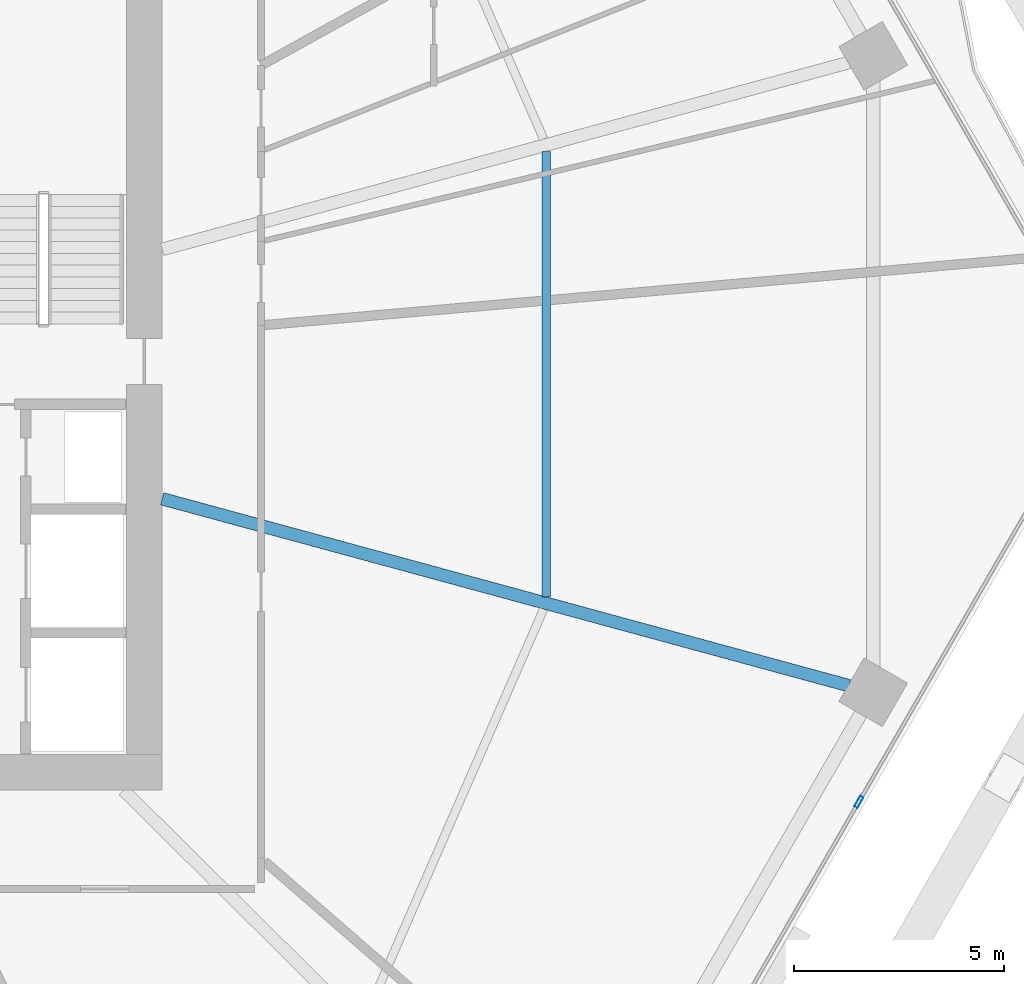
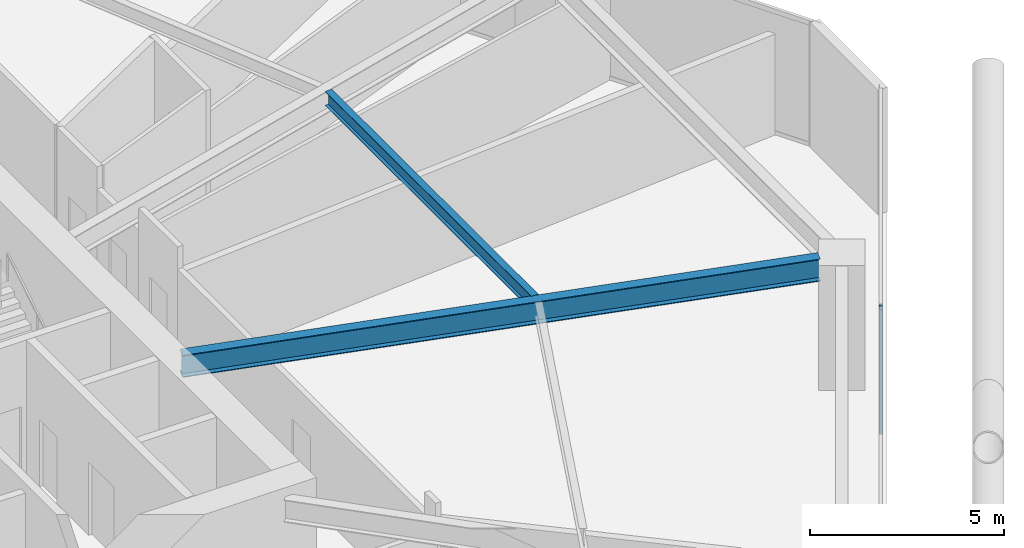
# One storey, part 11 of 30: 2 beams, 1 member, 1 element without a shape of its own.
"""IFC4 building model written with IfcOpenShell, lengths in metres."""

from ifc_helpers import new_model, si_unit, direction, frame, origin, origin_2d, place, context, subcontext, project, spatial, hollow_rectangle, i_section, extrude, material, material_profile, profile_set, type_object, element, aggregate, save


model = new_model("IFC4")

# Units and contexts
model_context = context("Model", 3, precision=1e-05, world=origin(), true_north=direction((0.0, 1.0)))
body_context = subcontext(model_context, "Body", "Model", "MODEL_VIEW")
ifc_project = project(units=[si_unit("LENGTHUNIT", "METRE"), si_unit("AREAUNIT", "SQUARE_METRE"), si_unit("VOLUMEUNIT", "CUBIC_METRE"), si_unit("PLANEANGLEUNIT", "RADIAN"), si_unit("MASSUNIT", "GRAM", prefix="KILO")], contexts=[model_context])

# Site, building, storey
site_placement = place(None, origin())
site = spatial("IfcSite", under=ifc_project, at=site_placement, CompositionType="ELEMENT")
building_placement = place(site_placement, origin())
building = spatial("IfcBuilding", under=site, at=building_placement, Name="Zuhravey Tower", CompositionType="ELEMENT")
storey_placement = place(building_placement, frame((0.0, 0.0, 16.199951171875)))
storey = spatial("IfcBuildingStorey", under=building, at=storey_placement, Name="L04", CompositionType="ELEMENT", Elevation=16.199951171875)

# Curtain wall, member
ifc_material_1 = material(Name="Thermally broken anodised aluminium", Category="aluminium")
curtain_wall_type = type_object("IfcCurtainWallType", Name="School Low-E Unitised Curtain Wall CW1", PredefinedType="NOTDEFINED", material=ifc_material_1)
curtain_wall_placement = place(storey_placement, origin())
curtain_wall = element("IfcCurtainWall", 1, at=curtain_wall_placement, inside=storey, type_object=curtain_wall_type, Name="L04 CW1 CW-L04-F6-1", PredefinedType="NOTDEFINED")
ifc_material_2 = material(Name="Anodised aluminium", Category="aluminium")
ifc_material_profile_1 = material_profile(ifc_material_2, hollow_rectangle(XDim=0.090087890625, YDim=0.284912109375, WallThickness=0.0048828125, at=origin_2d()), Name="ALU-RHS-90x285x5")
ifc_profile_set_1 = profile_set([ifc_material_profile_1], Name="Anodised aluminium")
member_type = type_object("IfcMemberType", Name="Curtain-Wall Mullion 90x180", PredefinedType="MULLION", material=ifc_profile_set_1)
member_placement = place(storey_placement, frame((63.54541015625, 21.79296875, 0.0), z_axis=(0.0, 0.0, 1.0), x_axis=(0.86602552265, -0.499999794119, 0.0)))
member = element("IfcMember", 2, at=member_placement, type_object=member_type, Name="CW1 mullion 2", PredefinedType="MULLION", context=body_context, shape_type="SweptSolid", body=[
    extrude(hollow_rectangle(XDim=0.090087890625, YDim=0.284912109375, WallThickness=0.0048828125, at=origin_2d()), origin(), (0.0, 0.0, 1.0), 3.920166015625),
])
aggregate(curtain_wall, [member])

# Beams
ifc_material_3 = material(Name="Steel SM355", Category="steel")
ifc_material_profile_2 = material_profile(ifc_material_3, i_section(OverallWidth=0.300048828125, OverallDepth=0.699951171875, WebThickness=0.012939453125, FlangeThickness=0.02392578125, at=origin_2d()), Name="H-700x300x13x24")
ifc_profile_set_2 = profile_set([ifc_material_profile_2], Name="Steel SM355")
beam_type_1 = type_object("IfcBeamType", Name="Radial Primary Girder H700x300", PredefinedType="BEAM", material=ifc_profile_set_2)
beam_1_placement = place(storey_placement, frame((46.927978515625, 29.025390625, 3.570068359375), z_axis=(0.964892480455, -0.26264520015, 0.0), x_axis=(0.26264520015, 0.964892480455, 0.0)))
element("IfcBeam", 3, at=beam_1_placement, inside=storey, type_object=beam_type_1, Name="L04 RG1 BM-L04-RAD-12", PredefinedType="BEAM", context=body_context, shape_type="SweptSolid", body=[
    extrude(i_section(OverallWidth=0.300048828125, OverallDepth=0.699951171875, WebThickness=0.012939453125, FlangeThickness=0.02392578125, at=origin_2d()), origin(), (0.0, 0.0, 1.0), 16.975341796875),
])
ifc_material_profile_3 = material_profile(ifc_material_3, i_section(OverallWidth=0.199951171875, OverallDepth=0.449951171875, WebThickness=0.009033203125, FlangeThickness=0.013916015625, at=origin_2d()), Name="H-450x200x9x14")
ifc_profile_set_3 = profile_set([ifc_material_profile_3], Name="Steel SM355")
beam_type_2 = type_object("IfcBeamType", Name="Secondary Floor Joist H450x200", PredefinedType="JOIST", material=ifc_profile_set_3)
beam_2_placement = place(storey_placement, frame((56.0869140625, 26.686279296875, 3.695068359375), z_axis=(0.0, 1.0, 0.0), x_axis=(-1.0, 0.0, 0.0)))
element("IfcBeam", 4, at=beam_2_placement, inside=storey, type_object=beam_type_2, Name="L04 SJ1 BM-L04-SJ-12-1", PredefinedType="JOIST", context=body_context, shape_type="SweptSolid", body=[
    extrude(i_section(OverallWidth=0.199951171875, OverallDepth=0.449951171875, WebThickness=0.009033203125, FlangeThickness=0.013916015625, at=origin_2d()), origin(), (0.0, 0.0, 1.0), 10.62744140625),
])

save(model, "model.ifc")
